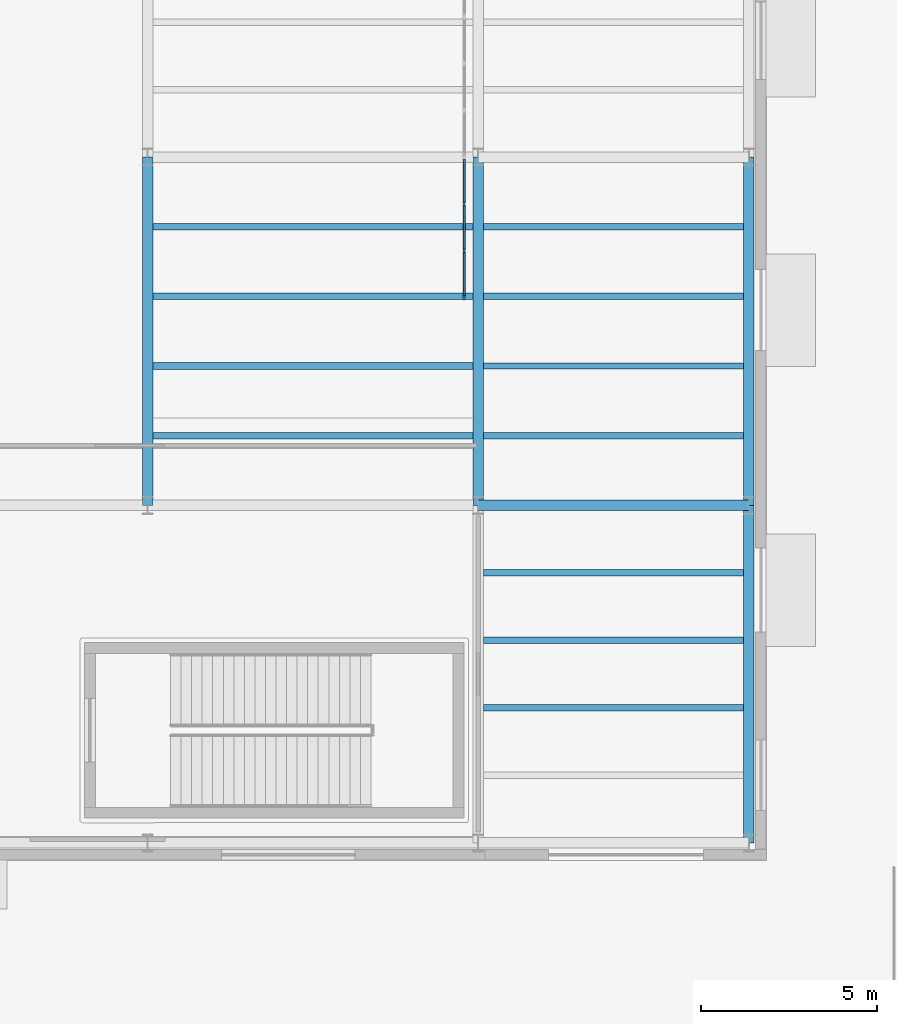
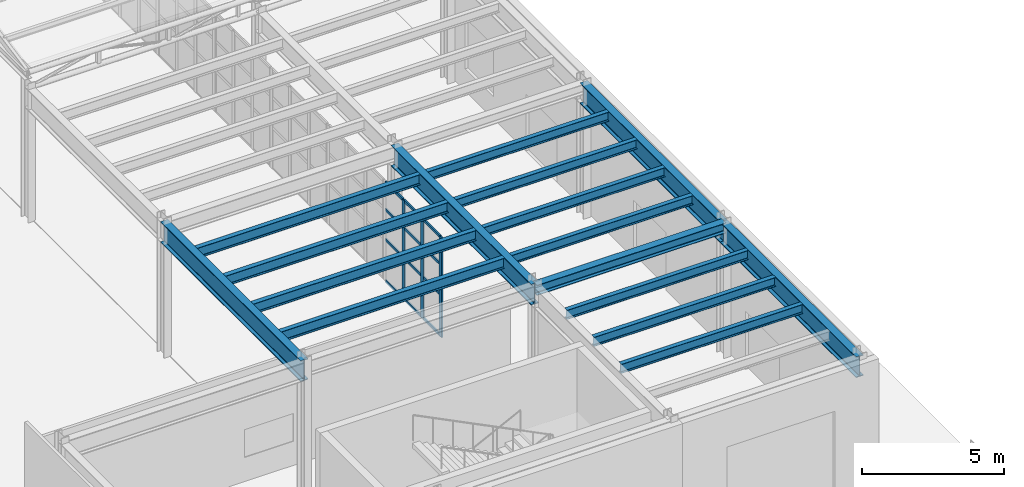
# One storey, part 36 of 118: 16 beams, 15 members, 1 element without a shape of its own.
"""IFC4 building model written with IfcOpenShell, lengths in metres."""

from ifc_helpers import new_model, si_unit, direction, frame, origin, origin_2d, place, context, subcontext, project, spatial, rectangle, i_section, extrude, material, material_profile, profile_set, type_object, element, aggregate, save


model = new_model("IFC4")

# Units and contexts
model_context = context("Model", 3, precision=1e-05, world=origin(), true_north=direction((0.0, 1.0)))
body_context = subcontext(model_context, "Body", "Model", "MODEL_VIEW")
ifc_project = project(units=[si_unit("LENGTHUNIT", "METRE"), si_unit("AREAUNIT", "SQUARE_METRE"), si_unit("VOLUMEUNIT", "CUBIC_METRE"), si_unit("PLANEANGLEUNIT", "RADIAN"), si_unit("MASSUNIT", "GRAM", prefix="KILO")], contexts=[model_context])

# Site, building, storey
site_placement = place(None, origin())
site = spatial("IfcSite", under=ifc_project, at=site_placement, CompositionType="ELEMENT")
building_placement = place(site_placement, origin())
building = spatial("IfcBuilding", under=site, at=building_placement, Name="Kolvaren Corner Interchange", CompositionType="ELEMENT")
storey_placement = place(building_placement, origin())
storey = spatial("IfcBuildingStorey", under=building, at=storey_placement, Name="L01", CompositionType="ELEMENT", Elevation=0.0)

# Beams
ifc_material_1 = material(Name="Steel S355", Category="steel")
ifc_material_profile_1 = material_profile(ifc_material_1, i_section(OverallWidth=0.300048828125, OverallDepth=0.43994140625, WebThickness=0.011474609375, FlangeThickness=0.02099609375, FilletRadius=0.027099609375, at=origin_2d()), Name="HEA 450")
ifc_profile_set_1 = profile_set([ifc_material_profile_1], Name="Steel S355")
beam_type_1 = type_object("IfcBeamType", Name="BM-HEA450", PredefinedType="BEAM", material=ifc_profile_set_1)
beam_1_placement = place(storey_placement, frame((155.800048828125, 22.10009765625, 5.52001953125), z_axis=(1.0, 0.0, 0.0), x_axis=(0.0, 1.0, 0.0)))
element("IfcBeam", 1, at=beam_1_placement, inside=storey, type_object=beam_type_1, Name="Storey L01 Grid X Primary Girder 0391", PredefinedType="BEAM", context=body_context, shape_type="SweptSolid", body=[
    extrude(i_section(OverallWidth=0.300048828125, OverallDepth=0.43994140625, WebThickness=0.011474609375, FlangeThickness=0.02099609375, FilletRadius=0.027099609375, at=origin_2d()), origin(), (0.0, 0.0, 1.0), 7.699951171875),
])
ifc_material_2 = material(Name="Steel S355", Category="steel")
ifc_material_profile_2 = material_profile(ifc_material_2, i_section(OverallWidth=0.300048828125, OverallDepth=0.89990234375, WebThickness=0.0185546875, FlangeThickness=0.034912109375, FilletRadius=0.030029296875, at=origin_2d()), Name="HEB 900")
ifc_profile_set_2 = profile_set([ifc_material_profile_2], Name="Steel S355")
beam_type_2 = type_object("IfcBeamType", Name="BM-HEB900", PredefinedType="BEAM", material=ifc_profile_set_2)
for number, where, z_axis, x_axis, name in (
    (2, (146.39990234375, 22.10009765625, 5.2900390625), (0.0, 1.0, 0.0), (-1.0, 0.0, 0.0), "Storey L01 Grid Y Primary Girder 0529"),
    (3, (155.800048828125, 22.10009765625, 5.2900390625), (0.0, 1.0, 0.0), (-1.0, 0.0, 0.0), "Storey L01 Grid Y Primary Girder 0532"),
):
    element("IfcBeam", number, at=place(storey_placement, frame(where, z_axis=z_axis, x_axis=x_axis)), inside=storey, type_object=beam_type_2, Name=name, PredefinedType="BEAM", context=body_context, shape_type="SweptSolid", body=[
        extrude(i_section(OverallWidth=0.300048828125, OverallDepth=0.89990234375, WebThickness=0.0185546875, FlangeThickness=0.034912109375, FilletRadius=0.030029296875, at=origin_2d()), origin(), (0.0, 0.0, 1.0), 9.89990234375),
    ])
beam_2_placement = place(storey_placement, frame((163.5, 12.5, 5.2900390625), z_axis=(0.0, 1.0, 0.0), x_axis=(-1.0, 0.0, 0.0)))
element("IfcBeam", 4, at=beam_2_placement, inside=storey, type_object=beam_type_2, Name="Storey L01 Grid Y Primary Girder 0534", PredefinedType="BEAM", context=body_context, shape_type="SweptSolid", body=[
    extrude(i_section(OverallWidth=0.300048828125, OverallDepth=0.89990234375, WebThickness=0.0185546875, FlangeThickness=0.034912109375, FilletRadius=0.030029296875, at=origin_2d()), origin(), (0.0, 0.0, 1.0), 9.60009765625),
])
beam_3_placement = place(storey_placement, frame((163.5, 22.10009765625, 5.2900390625), z_axis=(0.0, 1.0, 0.0), x_axis=(-1.0, 0.0, 0.0)))
element("IfcBeam", 5, at=beam_3_placement, inside=storey, type_object=beam_type_2, Name="Storey L01 Grid Y Primary Girder 0535", PredefinedType="BEAM", context=body_context, shape_type="SweptSolid", body=[
    extrude(i_section(OverallWidth=0.300048828125, OverallDepth=0.89990234375, WebThickness=0.0185546875, FlangeThickness=0.034912109375, FilletRadius=0.030029296875, at=origin_2d()), origin(), (0.0, 0.0, 1.0), 9.89990234375),
])
ifc_material_3 = material(Name="Steel S355", Category="steel")
ifc_material_profile_3 = material_profile(ifc_material_3, i_section(OverallWidth=0.179931640625, OverallDepth=0.39990234375, WebThickness=0.008544921875, FlangeThickness=0.013427734375, FilletRadius=0.02099609375, at=origin_2d()), Name="IPE 400")
ifc_profile_set_3 = profile_set([ifc_material_profile_3], Name="Steel S355")
beam_type_3 = type_object("IfcBeamType", Name="JS-IPE400", PredefinedType="JOIST", material=ifc_profile_set_3)
for number, where, z_axis, x_axis, name in (
    (6, (155.949951171875, 16.340087890625, 5.5400390625), (1.0, 0.0, 0.0), (0.0, 1.0, 0.0), "Storey L01 Composite Floor Joist 0520"),
    (7, (155.949951171875, 18.260009765625, 5.5400390625), (1.0, 0.0, 0.0), (0.0, 1.0, 0.0), "Storey L01 Composite Floor Joist 0521"),
    (8, (155.949951171875, 20.179931640625, 5.5400390625), (1.0, 0.0, 0.0), (0.0, 1.0, 0.0), "Storey L01 Composite Floor Joist 0522"),
    (9, (155.949951171875, 24.080078125, 5.5400390625), (1.0, 0.0, 0.0), (0.0, 1.0, 0.0), "Storey L01 Composite Floor Joist 0523"),
    (10, (155.949951171875, 26.06005859375, 5.5400390625), (1.0, 0.0, 0.0), (0.0, 1.0, 0.0), "Storey L01 Composite Floor Joist 0524"),
    (11, (155.949951171875, 28.0400390625, 5.5400390625), (1.0, 0.0, 0.0), (0.0, 1.0, 0.0), "Storey L01 Composite Floor Joist 0525"),
    (12, (155.949951171875, 30.02001953125, 5.5400390625), (1.0, 0.0, 0.0), (0.0, 1.0, 0.0), "Storey L01 Composite Floor Joist 0526"),
):
    element("IfcBeam", number, at=place(storey_placement, frame(where, z_axis=z_axis, x_axis=x_axis)), inside=storey, type_object=beam_type_3, Name=name, PredefinedType="JOIST", context=body_context, shape_type="SweptSolid", body=[
        extrude(i_section(OverallWidth=0.179931640625, OverallDepth=0.39990234375, WebThickness=0.008544921875, FlangeThickness=0.013427734375, FilletRadius=0.02099609375, at=origin_2d()), origin(), (0.0, 0.0, 1.0), 7.400146484375),
    ])
ifc_material_4 = material(Name="Steel S355", Category="steel")
ifc_material_profile_4 = material_profile(ifc_material_4, i_section(OverallWidth=0.18994140625, OverallDepth=0.449951171875, WebThickness=0.009521484375, FlangeThickness=0.0146484375, FilletRadius=0.02099609375, at=origin_2d()), Name="IPE 450")
ifc_profile_set_4 = profile_set([ifc_material_profile_4], Name="Steel S355")
beam_type_4 = type_object("IfcBeamType", Name="JS-IPE450", PredefinedType="JOIST", material=ifc_profile_set_4)
for number, where, z_axis, x_axis, name in (
    (13, (146.550048828125, 24.080078125, 5.514892578125), (1.0, 0.0, 0.0), (0.0, 1.0, 0.0), "Storey L01 Composite Floor Joist 0511"),
    (14, (146.550048828125, 26.06005859375, 5.514892578125), (1.0, 0.0, 0.0), (0.0, 1.0, 0.0), "Storey L01 Composite Floor Joist 0512"),
    (15, (146.550048828125, 28.0400390625, 5.514892578125), (1.0, 0.0, 0.0), (0.0, 1.0, 0.0), "Storey L01 Composite Floor Joist 0513"),
    (16, (146.550048828125, 30.02001953125, 5.514892578125), (1.0, 0.0, 0.0), (0.0, 1.0, 0.0), "Storey L01 Composite Floor Joist 0514"),
):
    element("IfcBeam", number, at=place(storey_placement, frame(where, z_axis=z_axis, x_axis=x_axis)), inside=storey, type_object=beam_type_4, Name=name, PredefinedType="JOIST", context=body_context, shape_type="SweptSolid", body=[
        extrude(i_section(OverallWidth=0.18994140625, OverallDepth=0.449951171875, WebThickness=0.009521484375, FlangeThickness=0.0146484375, FilletRadius=0.02099609375, at=origin_2d()), origin(), (0.0, 0.0, 1.0), 9.099853515625),
    ])

# Curtain wall, members
ifc_material_5 = material(Name="Unitised Aluminium and Solar-Control Glass Curtain Wall", Category="aluminium")
curtain_wall_type = type_object("IfcCurtainWallType", Name="CW-V4-BOARD", PredefinedType="NOTDEFINED", material=ifc_material_5)
curtain_wall_placement = place(storey_placement, origin())
curtain_wall = element("IfcCurtainWall", 17, at=curtain_wall_placement, inside=storey, type_object=curtain_wall_type, Name="Bus Island East Boarding Curtain Wall Bay 01", PredefinedType="NOTDEFINED")
ifc_material_6 = material(Name="Anodised Aluminium Framing", Category="aluminium")
ifc_material_profile_5 = material_profile(ifc_material_6, rectangle(XDim=0.06005859375, YDim=0.179931640625, at=origin_2d()), Name="ALU 60x180")
ifc_profile_set_5 = profile_set([ifc_material_profile_5], Name="Anodised Aluminium Framing")
member_type_1 = type_object("IfcMemberType", Name="MUL-ALU60x180", PredefinedType="MULLION", material=ifc_profile_set_5)
member_1_placement = place(storey_placement, frame((155.39990234375, 28.030029296875, 0.0), z_axis=(0.0, 0.0, 1.0), x_axis=(-1.0, 0.0, 0.0)))
member_1 = element("IfcMember", 18, at=member_1_placement, type_object=member_type_1, Name="CW-138 mullion 1", PredefinedType="MULLION", context=body_context, shape_type="SweptSolid", body=[
    extrude(rectangle(XDim=0.06005859375, YDim=0.179931640625, at=origin_2d()), origin(), (0.0, 0.0, 1.0), 4.300048828125),
])
member_2_placement = place(storey_placement, frame((155.39990234375, 29.333251953125, 0.0), z_axis=(0.0, 0.0, 1.0), x_axis=(-1.0, 0.0, 0.0)))
member_2 = element("IfcMember", 19, at=member_2_placement, type_object=member_type_1, Name="CW-138 mullion 2", PredefinedType="MULLION", context=body_context, shape_type="SweptSolid", body=[
    extrude(rectangle(XDim=0.06005859375, YDim=0.179931640625, at=origin_2d()), origin(), (0.0, 0.0, 1.0), 4.300048828125),
])
member_3_placement = place(storey_placement, frame((155.39990234375, 30.666748046875, 0.0), z_axis=(0.0, 0.0, 1.0), x_axis=(-1.0, 0.0, 0.0)))
member_3 = element("IfcMember", 20, at=member_3_placement, type_object=member_type_1, Name="CW-138 mullion 3", PredefinedType="MULLION", context=body_context, shape_type="SweptSolid", body=[
    extrude(rectangle(XDim=0.06005859375, YDim=0.179931640625, at=origin_2d()), origin(), (0.0, 0.0, 1.0), 4.300048828125),
])
ifc_material_7 = material(Name="Anodised Aluminium Framing", Category="aluminium")
ifc_material_profile_6 = material_profile(ifc_material_7, rectangle(XDim=0.054931640625, YDim=0.1201171875, at=origin_2d()), Name="ALU 55x120")
ifc_profile_set_6 = profile_set([ifc_material_profile_6], Name="Anodised Aluminium Framing")
member_type_2 = type_object("IfcMemberType", Name="TRN-ALU55x120", PredefinedType="USERDEFINED", material=ifc_profile_set_6)
member_4_placement = place(storey_placement, frame((155.39990234375, 28.06005859375, 0.027587890625), z_axis=(0.0, 1.0, 0.0), x_axis=(-1.0, 0.0, 0.0)))
member_4 = element("IfcMember", 21, at=member_4_placement, type_object=member_type_2, Name="CW-138 transom 1.1", ObjectType="TRANSOM", PredefinedType="USERDEFINED", context=body_context, shape_type="SweptSolid", body=[
    extrude(rectangle(XDim=0.054931640625, YDim=0.1201171875, at=origin_2d()), origin(), (0.0, 0.0, 1.0), 1.2431640625),
])
member_5_placement = place(storey_placement, frame((155.39990234375, 28.06005859375, 1.800048828125), z_axis=(0.0, 1.0, 0.0), x_axis=(-1.0, 0.0, 0.0)))
member_5 = element("IfcMember", 22, at=member_5_placement, type_object=member_type_2, Name="CW-138 transom 1.2", ObjectType="TRANSOM", PredefinedType="USERDEFINED", context=body_context, shape_type="SweptSolid", body=[
    extrude(rectangle(XDim=0.054931640625, YDim=0.1201171875, at=origin_2d()), origin(), (0.0, 0.0, 1.0), 1.2431640625),
])
member_6_placement = place(storey_placement, frame((155.39990234375, 28.06005859375, 3.10009765625), z_axis=(0.0, 1.0, 0.0), x_axis=(-1.0, 0.0, 0.0)))
member_6 = element("IfcMember", 23, at=member_6_placement, type_object=member_type_2, Name="CW-138 transom 1.3", ObjectType="TRANSOM", PredefinedType="USERDEFINED", context=body_context, shape_type="SweptSolid", body=[
    extrude(rectangle(XDim=0.054931640625, YDim=0.1201171875, at=origin_2d()), origin(), (0.0, 0.0, 1.0), 1.2431640625),
])
member_7_placement = place(storey_placement, frame((155.39990234375, 28.06005859375, 4.2724609375), z_axis=(0.0, 1.0, 0.0), x_axis=(-1.0, 0.0, 0.0)))
member_7 = element("IfcMember", 24, at=member_7_placement, type_object=member_type_2, Name="CW-138 transom 1.4", ObjectType="TRANSOM", PredefinedType="USERDEFINED", context=body_context, shape_type="SweptSolid", body=[
    extrude(rectangle(XDim=0.054931640625, YDim=0.1201171875, at=origin_2d()), origin(), (0.0, 0.0, 1.0), 1.2431640625),
])
member_8_placement = place(storey_placement, frame((155.39990234375, 29.36328125, 0.027587890625), z_axis=(0.0, 1.0, 0.0), x_axis=(-1.0, 0.0, 0.0)))
member_8 = element("IfcMember", 25, at=member_8_placement, type_object=member_type_2, Name="CW-138 transom 2.1", ObjectType="TRANSOM", PredefinedType="USERDEFINED", context=body_context, shape_type="SweptSolid", body=[
    extrude(rectangle(XDim=0.054931640625, YDim=0.1201171875, at=origin_2d()), origin(), (0.0, 0.0, 1.0), 1.2734375),
])
member_9_placement = place(storey_placement, frame((155.39990234375, 29.36328125, 1.800048828125), z_axis=(0.0, 1.0, 0.0), x_axis=(-1.0, 0.0, 0.0)))
member_9 = element("IfcMember", 26, at=member_9_placement, type_object=member_type_2, Name="CW-138 transom 2.2", ObjectType="TRANSOM", PredefinedType="USERDEFINED", context=body_context, shape_type="SweptSolid", body=[
    extrude(rectangle(XDim=0.054931640625, YDim=0.1201171875, at=origin_2d()), origin(), (0.0, 0.0, 1.0), 1.2734375),
])
member_10_placement = place(storey_placement, frame((155.39990234375, 29.36328125, 3.10009765625), z_axis=(0.0, 1.0, 0.0), x_axis=(-1.0, 0.0, 0.0)))
member_10 = element("IfcMember", 27, at=member_10_placement, type_object=member_type_2, Name="CW-138 transom 2.3", ObjectType="TRANSOM", PredefinedType="USERDEFINED", context=body_context, shape_type="SweptSolid", body=[
    extrude(rectangle(XDim=0.054931640625, YDim=0.1201171875, at=origin_2d()), origin(), (0.0, 0.0, 1.0), 1.2734375),
])
member_11_placement = place(storey_placement, frame((155.39990234375, 29.36328125, 4.2724609375), z_axis=(0.0, 1.0, 0.0), x_axis=(-1.0, 0.0, 0.0)))
member_11 = element("IfcMember", 28, at=member_11_placement, type_object=member_type_2, Name="CW-138 transom 2.4", ObjectType="TRANSOM", PredefinedType="USERDEFINED", context=body_context, shape_type="SweptSolid", body=[
    extrude(rectangle(XDim=0.054931640625, YDim=0.1201171875, at=origin_2d()), origin(), (0.0, 0.0, 1.0), 1.2734375),
])
member_12_placement = place(storey_placement, frame((155.39990234375, 30.69677734375, 0.027587890625), z_axis=(0.0, 1.0, 0.0), x_axis=(-1.0, 0.0, 0.0)))
member_12 = element("IfcMember", 29, at=member_12_placement, type_object=member_type_2, Name="CW-138 transom 3.1", ObjectType="TRANSOM", PredefinedType="USERDEFINED", context=body_context, shape_type="SweptSolid", body=[
    extrude(rectangle(XDim=0.054931640625, YDim=0.1201171875, at=origin_2d()), origin(), (0.0, 0.0, 1.0), 1.2431640625),
])
member_13_placement = place(storey_placement, frame((155.39990234375, 30.69677734375, 1.800048828125), z_axis=(0.0, 1.0, 0.0), x_axis=(-1.0, 0.0, 0.0)))
member_13 = element("IfcMember", 30, at=member_13_placement, type_object=member_type_2, Name="CW-138 transom 3.2", ObjectType="TRANSOM", PredefinedType="USERDEFINED", context=body_context, shape_type="SweptSolid", body=[
    extrude(rectangle(XDim=0.054931640625, YDim=0.1201171875, at=origin_2d()), origin(), (0.0, 0.0, 1.0), 1.2431640625),
])
member_14_placement = place(storey_placement, frame((155.39990234375, 30.69677734375, 3.10009765625), z_axis=(0.0, 1.0, 0.0), x_axis=(-1.0, 0.0, 0.0)))
member_14 = element("IfcMember", 31, at=member_14_placement, type_object=member_type_2, Name="CW-138 transom 3.3", ObjectType="TRANSOM", PredefinedType="USERDEFINED", context=body_context, shape_type="SweptSolid", body=[
    extrude(rectangle(XDim=0.054931640625, YDim=0.1201171875, at=origin_2d()), origin(), (0.0, 0.0, 1.0), 1.2431640625),
])
member_15_placement = place(storey_placement, frame((155.39990234375, 30.69677734375, 4.2724609375), z_axis=(0.0, 1.0, 0.0), x_axis=(-1.0, 0.0, 0.0)))
member_15 = element("IfcMember", 32, at=member_15_placement, type_object=member_type_2, Name="CW-138 transom 3.4", ObjectType="TRANSOM", PredefinedType="USERDEFINED", context=body_context, shape_type="SweptSolid", body=[
    extrude(rectangle(XDim=0.054931640625, YDim=0.1201171875, at=origin_2d()), origin(), (0.0, 0.0, 1.0), 1.2431640625),
])
aggregate(curtain_wall, [member_1, member_2, member_3, member_4, member_5, member_6, member_7, member_8, member_9, member_10, member_11, member_12, member_13, member_14, member_15])

save(model, "model.ifc")
